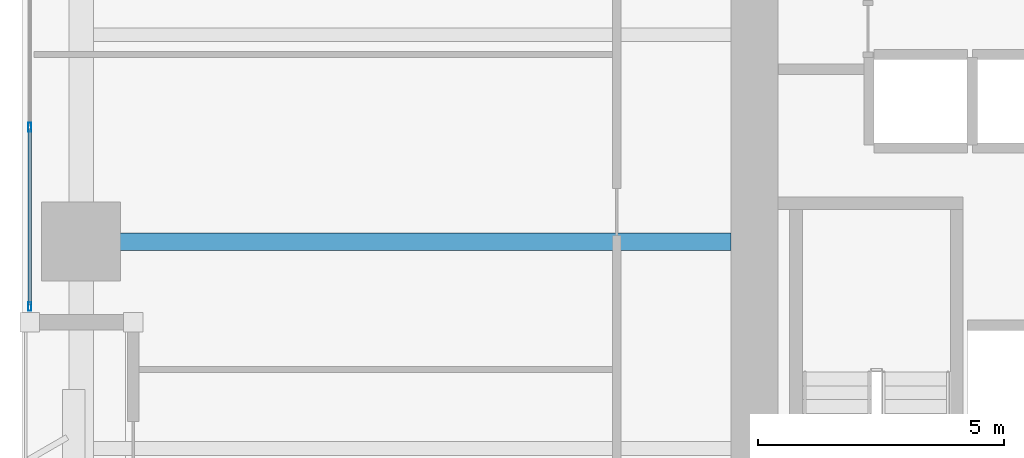
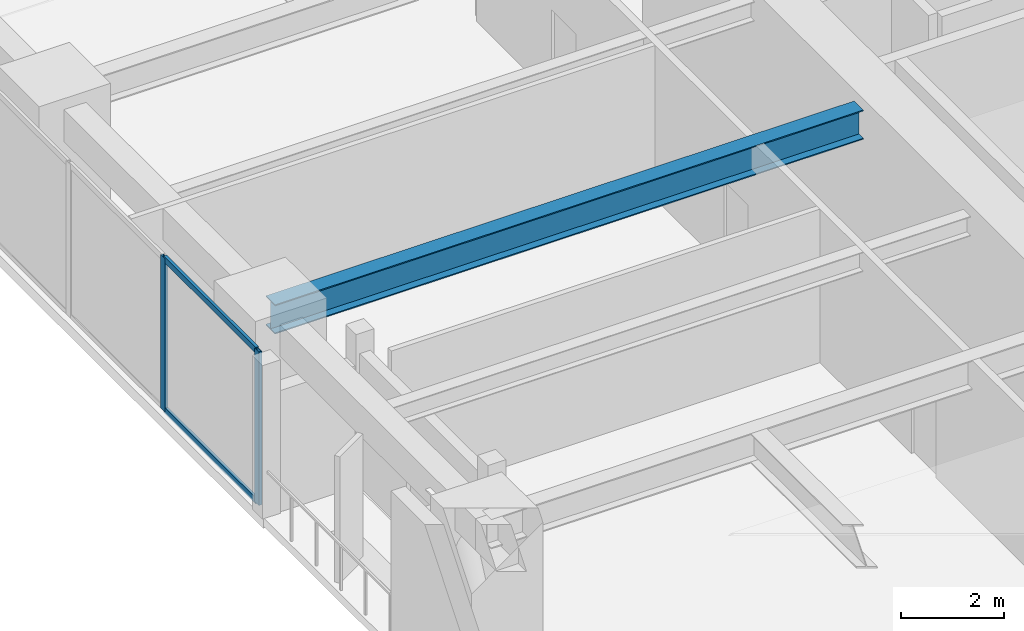
# One storey, part 2 of 28: 4 members, 1 beam, 1 element without a shape of its own.
"""IFC4 building model written with IfcOpenShell, lengths in metres."""

from ifc_helpers import new_model, si_unit, direction, frame, origin, origin_2d, place, context, subcontext, project, spatial, hollow_rectangle, i_section, extrude, material, layer, layer_set, material_profile, profile_set, type_object, element, aggregate, save


model = new_model("IFC4")

# Units and contexts
model_context = context("Model", 3, precision=1e-05, world=origin(), true_north=direction((0.0, 1.0)))
body_context = subcontext(model_context, "Body", "Model", "MODEL_VIEW")
ifc_project = project(units=[si_unit("LENGTHUNIT", "METRE"), si_unit("AREAUNIT", "SQUARE_METRE"), si_unit("VOLUMEUNIT", "CUBIC_METRE"), si_unit("PLANEANGLEUNIT", "RADIAN"), si_unit("MASSUNIT", "GRAM", prefix="KILO")], contexts=[model_context])

# Site, building, storey
site_placement = place(None, origin())
site = spatial("IfcSite", under=ifc_project, at=site_placement, CompositionType="ELEMENT")
building_placement = place(site_placement, origin())
building = spatial("IfcBuilding", under=site, at=building_placement, Name="Kiyonajd Concourse Tower", CompositionType="ELEMENT")
storey_placement = place(building_placement, frame((0.0, 0.0, 33.300048828125)))
storey = spatial("IfcBuildingStorey", under=building, at=storey_placement, Name="L09", CompositionType="ELEMENT", Elevation=33.300048828125)

# Beam
ifc_material_1 = material(Name="Steel ASTM A992 Grade 50", Category="steel")
ifc_material_profile_1 = material_profile(ifc_material_1, i_section(OverallWidth=0.35498046875, OverallDepth=0.695068359375, WebThickness=0.015380859375, FlangeThickness=0.02490234375, at=origin_2d()), Name="W690X217")
ifc_profile_set_1 = profile_set([ifc_material_profile_1], Name="Steel ASTM A992 Grade 50")
beam_type = type_object("IfcBeamType", Name="BM-TWR-690", PredefinedType="BEAM", material=ifc_profile_set_1)
beam_placement = place(storey_placement, frame((19.199951171875, 36.0, 3.29248046875), z_axis=(1.0, 0.0, 0.0), x_axis=(0.0, 1.0, 0.0)))
element("IfcBeam", 1, at=beam_placement, inside=storey, type_object=beam_type, Name="L09 West Lease Girder", PredefinedType="BEAM", context=body_context, shape_type="SweptSolid", body=[
    extrude(i_section(OverallWidth=0.35498046875, OverallDepth=0.695068359375, WebThickness=0.015380859375, FlangeThickness=0.02490234375, at=origin_2d()), origin(), (0.0, 0.0, 1.0), 13.199951171875),
])

# Curtain wall, members
ifc_material_2 = material(Name="Thermally Broken Anodised Aluminium", Category="aluminium")
ifc_layer = layer(ifc_material_2, 0.179931640625)
ifc_layer_set = layer_set([ifc_layer], Name="Thermally Broken Anodised Aluminium")
curtain_wall_type = type_object("IfcCurtainWallType", Name="CW-SYS-02", PredefinedType="NOTDEFINED", material=ifc_layer_set)
curtain_wall_placement = place(storey_placement, origin())
curtain_wall = element("IfcCurtainWall", 2, at=curtain_wall_placement, inside=storey, type_object=curtain_wall_type, Name="L09 Unitised Curtain Wall CW2", PredefinedType="NOTDEFINED")
ifc_material_profile_2 = material_profile(ifc_material_2, hollow_rectangle(XDim=0.06494140625, YDim=0.179931640625, WallThickness=0.00390625, at=origin_2d()), Name="MULL-65x180")
ifc_profile_set_2 = profile_set([ifc_material_profile_2], Name="Thermally Broken Anodised Aluminium")
member_type_1 = type_object("IfcMemberType", Name="MB-CW-MULL1", PredefinedType="MULLION", material=ifc_profile_set_2)
member_1_placement = place(storey_placement, frame((18.159912109375, 34.6826171875, 0.0), z_axis=(0.0, 0.0, 1.0), x_axis=(-1.0, 0.0, 0.0)))
member_1 = element("IfcMember", 3, at=member_1_placement, type_object=member_type_1, Name="CW2 mullion 1", PredefinedType="MULLION", context=body_context, shape_type="SweptSolid", body=[
    extrude(hollow_rectangle(XDim=0.06494140625, YDim=0.179931640625, WallThickness=0.00390625, at=origin_2d()), origin(), (0.0, 0.0, 1.0), 3.639892578125),
])
member_2_placement = place(storey_placement, frame((18.159912109375, 38.3232421875, 0.0), z_axis=(0.0, 0.0, 1.0), x_axis=(-1.0, 0.0, 0.0)))
member_2 = element("IfcMember", 4, at=member_2_placement, type_object=member_type_1, Name="CW2 mullion 2", PredefinedType="MULLION", context=body_context, shape_type="SweptSolid", body=[
    extrude(hollow_rectangle(XDim=0.06494140625, YDim=0.179931640625, WallThickness=0.00390625, at=origin_2d()), origin(), (0.0, 0.0, 1.0), 3.639892578125),
])
ifc_material_profile_3 = material_profile(ifc_material_2, hollow_rectangle(XDim=0.06494140625, YDim=0.139892578125, WallThickness=0.00390625, at=origin_2d()), Name="TRAN-65x140")
ifc_profile_set_3 = profile_set([ifc_material_profile_3], Name="Thermally Broken Anodised Aluminium")
member_type_2 = type_object("IfcMemberType", Name="MB-CW-TRAN1", PredefinedType="USERDEFINED", material=ifc_profile_set_3)
member_3_placement = place(storey_placement, frame((18.159912109375, 34.715087890625, 0.032470703125), z_axis=(0.0, 1.0, 0.0), x_axis=(-1.0, 0.0, 0.0)))
member_3 = element("IfcMember", 5, at=member_3_placement, type_object=member_type_2, Name="CW2 transom 1.1", ObjectType="TRANSOM", PredefinedType="USERDEFINED", context=body_context, shape_type="SweptSolid", body=[
    extrude(hollow_rectangle(XDim=0.06494140625, YDim=0.139892578125, WallThickness=0.00390625, at=origin_2d()), origin(), (0.0, 0.0, 1.0), 3.57568359375),
])
member_4_placement = place(storey_placement, frame((18.159912109375, 34.715087890625, 3.607421875), z_axis=(0.0, 1.0, 0.0), x_axis=(-1.0, 0.0, 0.0)))
member_4 = element("IfcMember", 6, at=member_4_placement, type_object=member_type_2, Name="CW2 transom 1.2", ObjectType="TRANSOM", PredefinedType="USERDEFINED", context=body_context, shape_type="SweptSolid", body=[
    extrude(hollow_rectangle(XDim=0.06494140625, YDim=0.139892578125, WallThickness=0.00390625, at=origin_2d()), origin(), (0.0, 0.0, 1.0), 3.57568359375),
])
aggregate(curtain_wall, [member_1, member_2, member_3, member_4])

save(model, "model.ifc")
